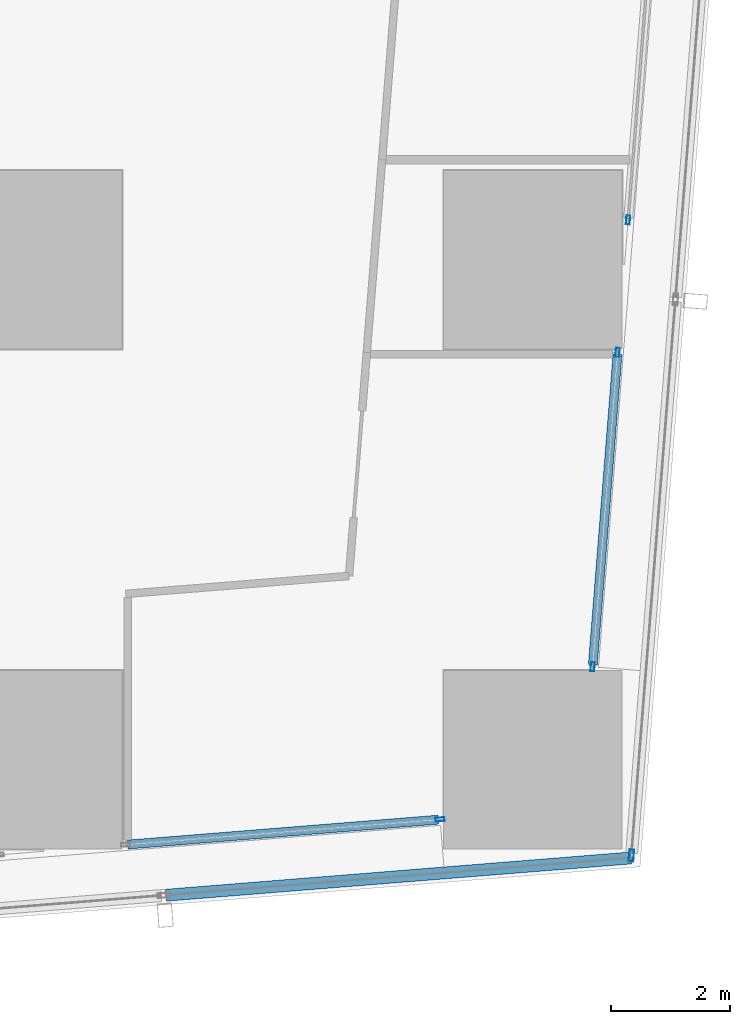
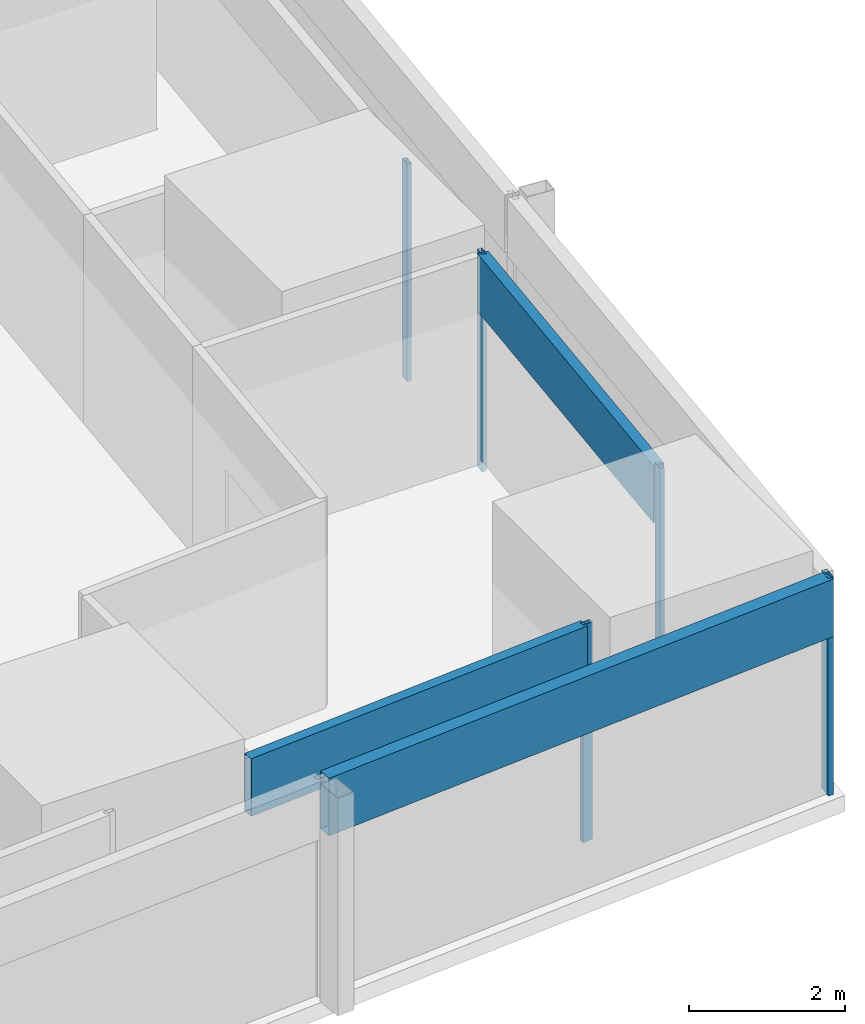
# One storey, part 12 of 44: 8 members, 5 elements without a shape of their own.
"""IFC4 building model written with IfcOpenShell, lengths in metres."""

from ifc_helpers import new_model, si_unit, direction, frame, origin, origin_2d, place, context, subcontext, project, spatial, hollow_rectangle, extrude, material, material_profile, profile_set, type_object, element, aggregate, save


model = new_model("IFC4")

# Units and contexts
model_context = context("Model", 3, precision=1e-05, world=origin(), true_north=direction((0.0, 1.0)))
body_context = subcontext(model_context, "Body", "Model", "MODEL_VIEW")
ifc_project = project(units=[si_unit("LENGTHUNIT", "METRE"), si_unit("AREAUNIT", "SQUARE_METRE"), si_unit("VOLUMEUNIT", "CUBIC_METRE"), si_unit("PLANEANGLEUNIT", "RADIAN"), si_unit("MASSUNIT", "GRAM", prefix="KILO")], contexts=[model_context])

# Site, building, storey
site_placement = place(None, origin())
site = spatial("IfcSite", under=ifc_project, at=site_placement, CompositionType="ELEMENT")
building_placement = place(site_placement, origin())
building = spatial("IfcBuilding", under=site, at=building_placement, Name="Rekha Terrace Tower", CompositionType="ELEMENT")
storey_placement = place(building_placement, frame((0.0, 0.0, 81.64990234375)))
storey = spatial("IfcBuildingStorey", under=building, at=storey_placement, Name="L20", CompositionType="ELEMENT", Elevation=81.64990234375)

# Curtain wall, member
ifc_material_1 = material(Name="Aluminium framing", Category="aluminium")
curtain_wall_type_1 = type_object("IfcCurtainWallType", Name="CW1 double skin inner glazing", PredefinedType="USERDEFINED", material=ifc_material_1)
curtain_wall_1_placement = place(storey_placement, origin())
curtain_wall_1 = element("IfcCurtainWall", 1, at=curtain_wall_1_placement, inside=storey, type_object=curtain_wall_type_1, Name="CW1 double skin inner glazing", ObjectType="DOUBLE SKIN INNER GLAZING", PredefinedType="USERDEFINED")
ifc_material_2 = material(Name="Aluminium mullion section", Category="aluminium")
ifc_material_profile_1 = material_profile(ifc_material_2, hollow_rectangle(XDim=0.06494140625, YDim=0.14990234375, WallThickness=0.00390625, at=origin_2d()), Name="AL RHS 65x150")
ifc_profile_set_1 = profile_set([ifc_material_profile_1], Name="Aluminium mullion section")
member_type_1 = type_object("IfcMemberType", Name="CW1 mullion RHS 65 x 150", PredefinedType="MULLION", material=ifc_profile_set_1)
member_1_placement = place(storey_placement, frame((65.64013671875, 7.394287109375, 0.0), z_axis=(0.0, 0.0, 1.0), x_axis=(-0.079872204416, 0.996805111826, 0.0)))
member_1 = element("IfcMember", 2, at=member_1_placement, type_object=member_type_1, Name="CW1 mullion 2", PredefinedType="MULLION", context=body_context, shape_type="SweptSolid", body=[
    extrude(hollow_rectangle(XDim=0.06494140625, YDim=0.14990234375, WallThickness=0.00390625, at=origin_2d()), origin(), (0.0, 0.0, 1.0), 3.400146484375),
])

# Curtain wall, members
curtain_wall_2_placement = place(storey_placement, origin())
curtain_wall_2 = element("IfcCurtainWall", 3, at=curtain_wall_2_placement, inside=storey, type_object=curtain_wall_type_1, Name="CW1 double skin inner glazing", ObjectType="DOUBLE SKIN INNER GLAZING", PredefinedType="USERDEFINED")
member_2_placement = place(storey_placement, frame((68.203369140625, 9.9599609375, 0.0), z_axis=(0.0, 0.0, 1.0), x_axis=(-0.996865392576, 0.079116301, 0.0)))
member_2 = element("IfcMember", 4, at=member_2_placement, type_object=member_type_1, Name="CW1 mullion 1", PredefinedType="MULLION", context=body_context, shape_type="SweptSolid", body=[
    extrude(hollow_rectangle(XDim=0.06494140625, YDim=0.14990234375, WallThickness=0.00390625, at=origin_2d()), origin(), (0.0, 0.0, 1.0), 3.400146484375),
])
member_3_placement = place(storey_placement, frame((68.622314453125, 15.240234375, 0.0), z_axis=(0.0, 0.0, 1.0), x_axis=(-0.996865392576, 0.079116301, 0.0)))
member_3 = element("IfcMember", 5, at=member_3_placement, type_object=member_type_1, Name="CW1 mullion 2", PredefinedType="MULLION", context=body_context, shape_type="SweptSolid", body=[
    extrude(hollow_rectangle(XDim=0.06494140625, YDim=0.14990234375, WallThickness=0.00390625, at=origin_2d()), origin(), (0.0, 0.0, 1.0), 3.400146484375),
])

# Curtain wall, member
curtain_wall_3_placement = place(storey_placement, origin())
curtain_wall_3 = element("IfcCurtainWall", 6, at=curtain_wall_3_placement, inside=storey, type_object=curtain_wall_type_1, Name="CW1 double skin inner glazing", ObjectType="DOUBLE SKIN INNER GLAZING", PredefinedType="USERDEFINED")
member_4_placement = place(storey_placement, frame((68.798828125, 17.463623046875, 0.0), z_axis=(0.0, 0.0, 1.0), x_axis=(-0.996865392573, 0.079116301035, 0.0)))
member_4 = element("IfcMember", 7, at=member_4_placement, type_object=member_type_1, Name="CW1 mullion 1", PredefinedType="MULLION", context=body_context, shape_type="SweptSolid", body=[
    extrude(hollow_rectangle(XDim=0.06494140625, YDim=0.14990234375, WallThickness=0.00390625, at=origin_2d()), origin(), (0.0, 0.0, 1.0), 3.400146484375),
])
aggregate(curtain_wall_3, [member_4])

# Member
ifc_material_3 = material(Name="Insulated aluminium spandrel box", Category="aluminium")
ifc_material_profile_2 = material_profile(ifc_material_3, hollow_rectangle(XDim=0.14990234375, YDim=0.89990234375, WallThickness=0.0029296875, at=origin_2d()), Name="AL SPANDREL BOX 150x900")
ifc_profile_set_2 = profile_set([ifc_material_profile_2], Name="Insulated aluminium spandrel box")
member_type_2 = type_object("IfcMemberType", Name="CW1 spandrel transom 150 x 900", PredefinedType="USERDEFINED", material=ifc_profile_set_2)
member_5_placement = place(storey_placement, frame((60.392333984375, 6.9736328125, 2.9501953125), z_axis=(0.996803992422, 0.079886173346, 0.0), x_axis=(-0.079886173346, 0.996803992422, 0.0)))
member_5 = element("IfcMember", 8, at=member_5_placement, type_object=member_type_2, Name="CW1 spandrel transom 1", ObjectType="TRANSOM", PredefinedType="USERDEFINED", context=body_context, shape_type="SweptSolid", body=[
    extrude(hollow_rectangle(XDim=0.14990234375, YDim=0.89990234375, WallThickness=0.0029296875, at=origin_2d()), origin(), (0.0, 0.0, 1.0), 5.23193359375),
])

aggregate(curtain_wall_1, [member_1, member_5])

member_6_placement = place(storey_placement, frame((68.205810546875, 9.9921875, 2.9501953125), z_axis=(0.079140590547, 0.996863464537, 0.0), x_axis=(-0.996863464537, 0.079140590547, 0.0)))
member_6 = element("IfcMember", 9, at=member_6_placement, type_object=member_type_2, Name="CW1 spandrel transom 1", ObjectType="TRANSOM", PredefinedType="USERDEFINED", context=body_context, shape_type="SweptSolid", body=[
    extrude(hollow_rectangle(XDim=0.14990234375, YDim=0.89990234375, WallThickness=0.0029296875, at=origin_2d()), origin(), (0.0, 0.0, 1.0), 5.23193359375),
])

aggregate(curtain_wall_2, [member_2, member_3, member_6])

# Curtain wall, member
curtain_wall_type_2 = type_object("IfcCurtainWallType", Name="CW2 double skin outer glazing", PredefinedType="USERDEFINED", material=ifc_material_1)
curtain_wall_4_placement = place(storey_placement, origin())
curtain_wall_4 = element("IfcCurtainWall", 10, at=curtain_wall_4_placement, inside=storey, type_object=curtain_wall_type_2, Name="CW2 double skin outer glazing", ObjectType="DOUBLE SKIN OUTER GLAZING", PredefinedType="USERDEFINED")
ifc_material_profile_3 = material_profile(ifc_material_2, hollow_rectangle(XDim=0.080078125, YDim=0.199951171875, WallThickness=0.00390625, at=origin_2d()), Name="AL RHS 80x200")
ifc_profile_set_3 = profile_set([ifc_material_profile_3], Name="Aluminium mullion section")
member_type_3 = type_object("IfcMemberType", Name="CW2 mullion RHS 80 x 200", PredefinedType="MULLION", material=ifc_profile_set_3)
member_7_placement = place(storey_placement, frame((68.8544921875, 6.78857421875, 0.0), z_axis=(0.0, 0.0, 1.0), x_axis=(-0.996865392575, 0.079116301017, 0.0)))
member_7 = element("IfcMember", 11, at=member_7_placement, type_object=member_type_3, Name="CW2 mullion 1", PredefinedType="MULLION", context=body_context, shape_type="SweptSolid", body=[
    extrude(hollow_rectangle(XDim=0.080078125, YDim=0.199951171875, WallThickness=0.00390625, at=origin_2d()), origin(), (0.0, 0.0, 1.0), 3.400146484375),
])
aggregate(curtain_wall_4, [member_7])

curtain_wall_5_placement = place(storey_placement, origin())
curtain_wall_5 = element("IfcCurtainWall", 12, at=curtain_wall_5_placement, inside=storey, type_object=curtain_wall_type_2, Name="CW2 double skin outer glazing", ObjectType="DOUBLE SKIN OUTER GLAZING", PredefinedType="USERDEFINED")
ifc_material_profile_4 = material_profile(ifc_material_3, hollow_rectangle(XDim=0.199951171875, YDim=0.89990234375, WallThickness=0.0029296875, at=origin_2d()), Name="AL SPANDREL BOX 200x900")
ifc_profile_set_4 = profile_set([ifc_material_profile_4], Name="Insulated aluminium spandrel box")
member_type_4 = type_object("IfcMemberType", Name="CW2 spandrel transom 200 x 900", PredefinedType="USERDEFINED", material=ifc_profile_set_4)
member_8_placement = place(storey_placement, frame((61.035888671875, 6.122314453125, 2.9501953125), z_axis=(0.996805270739, 0.07987022115, 0.0), x_axis=(-0.07987022115, 0.996805270739, 0.0)))
member_8 = element("IfcMember", 13, at=member_8_placement, type_object=member_type_4, Name="CW2 spandrel transom 3", ObjectType="TRANSOM", PredefinedType="USERDEFINED", context=body_context, shape_type="SweptSolid", body=[
    extrude(hollow_rectangle(XDim=0.199951171875, YDim=0.89990234375, WallThickness=0.0029296875, at=origin_2d()), origin(), (0.0, 0.0, 1.0), 7.840576171875),
])
aggregate(curtain_wall_5, [member_8])

save(model, "model.ifc")
